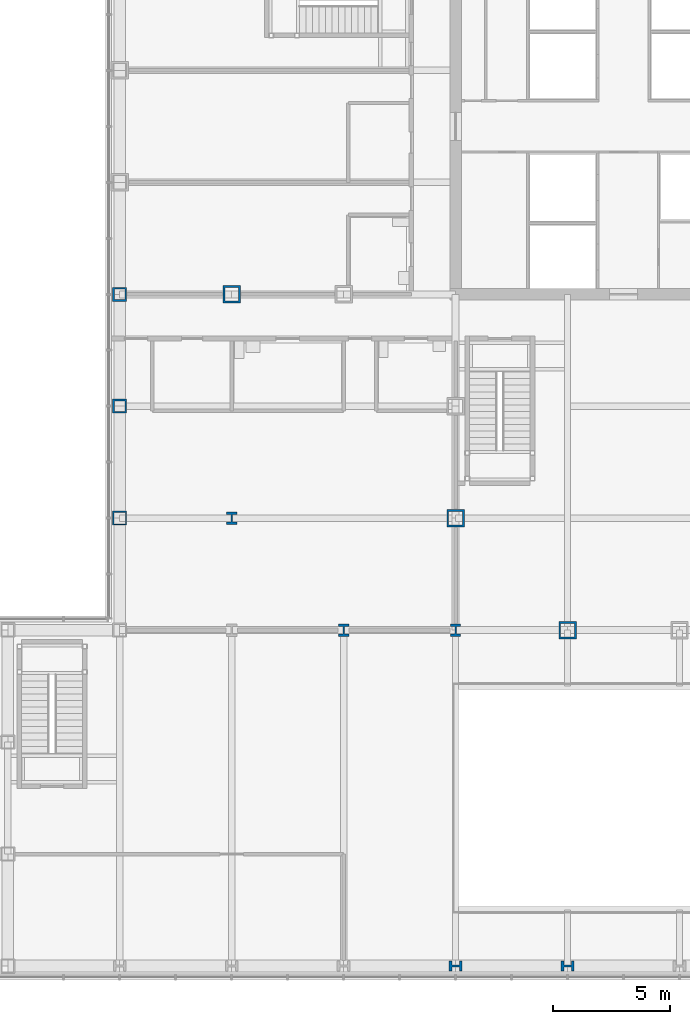
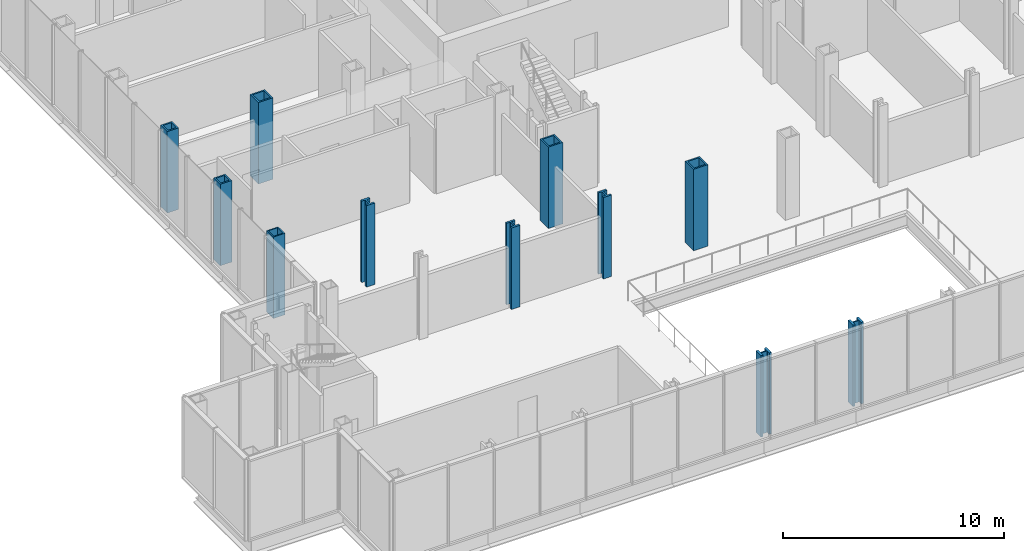
# One storey, part 2 of 26: 11 columns.
"""IFC4 building model written with IfcOpenShell, lengths in metres."""

from ifc_helpers import new_model, si_unit, direction, frame, origin, origin_2d, place, context, subcontext, project, spatial, hollow_rectangle, i_section, extrude, material, material_profile, profile_set, type_object, element, save


model = new_model("IFC4")

# Units and contexts
model_context = context("Model", 3, precision=1e-05, world=origin(), true_north=direction((0.0, 1.0)))
body_context = subcontext(model_context, "Body", "Model", "MODEL_VIEW")
ifc_project = project(units=[si_unit("LENGTHUNIT", "METRE"), si_unit("AREAUNIT", "SQUARE_METRE"), si_unit("VOLUMEUNIT", "CUBIC_METRE"), si_unit("PLANEANGLEUNIT", "RADIAN"), si_unit("MASSUNIT", "GRAM", prefix="KILO")], contexts=[model_context])

# Site, building, storey
site_placement = place(None, origin())
site = spatial("IfcSite", under=ifc_project, at=site_placement, CompositionType="ELEMENT")
building_placement = place(site_placement, origin())
building = spatial("IfcBuilding", under=site, at=building_placement, Name="Kvirike Care Tower", CompositionType="ELEMENT")
storey_placement = place(building_placement, frame((0.0, 0.0, 18.0)))
storey = spatial("IfcBuildingStorey", under=building, at=storey_placement, Name="L04", CompositionType="ELEMENT", Elevation=18.0)

# Columns
ifc_material_1 = material(Name="Steel S460", Category="steel")
ifc_material_profile_1 = material_profile(ifc_material_1, hollow_rectangle(XDim=0.60009765625, YDim=0.60009765625, WallThickness=0.06005859375, at=origin_2d()), Name="BX 600x600x60")
ifc_profile_set_1 = profile_set([ifc_material_profile_1], Name="Steel S460")
column_type_1 = type_object("IfcColumnType", Name="COLUMN BX 600x600x60", PredefinedType="COLUMN", material=ifc_profile_set_1)
column_placement = place(storey_placement, frame((0.0, 19.199951171875, 0.0), z_axis=(0.0, 0.0, 1.0), x_axis=(1.0, 0.0, 0.0)))
element("IfcColumn", 1, at=column_placement, inside=storey, type_object=column_type_1, Name="Column E3 L04", PredefinedType="COLUMN", context=body_context, shape_type="SweptSolid", body=[
    extrude(hollow_rectangle(XDim=0.60009765625, YDim=0.60009765625, WallThickness=0.06005859375, at=origin_2d()), origin(), (0.0, 0.0, 1.0), 4.5),
])
ifc_material_2 = material(Name="Steel S460", Category="steel")
ifc_material_profile_2 = material_profile(ifc_material_2, hollow_rectangle(XDim=0.60009765625, YDim=0.60009765625, WallThickness=0.080078125, at=origin_2d()), Name="BX 600x600x80")
ifc_profile_set_2 = profile_set([ifc_material_profile_2], Name="Steel S460")
column_type_2 = type_object("IfcColumnType", Name="COLUMN BX 600x600x80", PredefinedType="COLUMN", material=ifc_profile_set_2)
for number, where, z_axis, x_axis, name in (
    (2, (0.0, 24.0, 0.0), (0.0, 0.0, 1.0), (1.0, 0.0, 0.0), "Column F3 L04"),
    (3, (0.0, 28.800048828125, 0.0), (0.0, 0.0, 1.0), (0.0, 1.0, 0.0), "Column G3 L04"),
):
    element("IfcColumn", number, at=place(storey_placement, frame(where, z_axis=z_axis, x_axis=x_axis)), inside=storey, type_object=column_type_2, Name=name, PredefinedType="COLUMN", context=body_context, shape_type="SweptSolid", body=[
        extrude(hollow_rectangle(XDim=0.60009765625, YDim=0.60009765625, WallThickness=0.080078125, at=origin_2d()), origin(), (0.0, 0.0, 1.0), 4.5),
    ])
ifc_material_3 = material(Name="Steel S460", Category="steel")
ifc_material_profile_3 = material_profile(ifc_material_3, hollow_rectangle(XDim=0.75, YDim=0.75, WallThickness=0.080078125, at=origin_2d()), Name="BX 750x750x80")
ifc_profile_set_3 = profile_set([ifc_material_profile_3], Name="Steel S460")
column_type_3 = type_object("IfcColumnType", Name="COLUMN BX 750x750x80", PredefinedType="COLUMN", material=ifc_profile_set_3)
for number, where, z_axis, x_axis, name in (
    (4, (4.800048828125, 28.800048828125, 0.0), (0.0, 0.0, 1.0), (0.0, 1.0, 0.0), "Column G4 L04"),
    (5, (14.39990234375, 19.199951171875, 0.0), (0.0, 0.0, 1.0), (1.0, 0.0, 0.0), "Column E6 L04"),
    (6, (19.199951171875, 14.39990234375, 0.0), (0.0, 0.0, 1.0), (1.0, 0.0, 0.0), "Column D7 L04"),
):
    element("IfcColumn", number, at=place(storey_placement, frame(where, z_axis=z_axis, x_axis=x_axis)), inside=storey, type_object=column_type_3, Name=name, PredefinedType="COLUMN", context=body_context, shape_type="SweptSolid", body=[
        extrude(hollow_rectangle(XDim=0.75, YDim=0.75, WallThickness=0.080078125, at=origin_2d()), origin(), (0.0, 0.0, 1.0), 4.5),
    ])
ifc_material_4 = material(Name="Steel S460", Category="steel")
ifc_material_profile_4 = material_profile(ifc_material_4, i_section(OverallWidth=0.44189453125, OverallDepth=0.531005859375, WebThickness=0.06591796875, FlangeThickness=0.10595703125, FilletRadius=0.014892578125, at=origin_2d()), Name="HD 400x900")
ifc_profile_set_4 = profile_set([ifc_material_profile_4], Name="Steel S460")
column_type_4 = type_object("IfcColumnType", Name="COLUMN HD 400x900", PredefinedType="COLUMN", material=ifc_profile_set_4)
for number, where, z_axis, x_axis, name in (
    (7, (4.800048828125, 19.199951171875, 0.0), (0.0, 0.0, 1.0), (1.0, 0.0, 0.0), "Column E4 L04"),
    (8, (9.60009765625, 14.39990234375, 0.0), (0.0, 0.0, 1.0), (1.0, 0.0, 0.0), "Column D5 L04"),
    (9, (14.39990234375, 14.39990234375, 0.0), (0.0, 0.0, 1.0), (1.0, 0.0, 0.0), "Column D6 L04"),
):
    element("IfcColumn", number, at=place(storey_placement, frame(where, z_axis=z_axis, x_axis=x_axis)), inside=storey, type_object=column_type_4, Name=name, PredefinedType="COLUMN", context=body_context, shape_type="SweptSolid", body=[
        extrude(i_section(OverallWidth=0.44189453125, OverallDepth=0.531005859375, WebThickness=0.06591796875, FlangeThickness=0.10595703125, FilletRadius=0.014892578125, at=origin_2d()), origin(), (0.0, 0.0, 1.0), 4.5),
    ])
ifc_material_5 = material(Name="Steel S460", Category="steel")
ifc_material_profile_5 = material_profile(ifc_material_5, i_section(OverallWidth=0.447998046875, OverallDepth=0.550048828125, WebThickness=0.072021484375, FlangeThickness=0.114990234375, FilletRadius=0.014892578125, at=origin_2d()), Name="HD 400x990")
ifc_profile_set_5 = profile_set([ifc_material_profile_5], Name="Steel S460")
column_type_5 = type_object("IfcColumnType", Name="COLUMN HD 400x990", PredefinedType="COLUMN", material=ifc_profile_set_5)
for number, where, z_axis, x_axis, name in (
    (10, (14.39990234375, 0.0, 0.0), (0.0, 0.0, 1.0), (0.0, 1.0, 0.0), "Column A6 L04"),
    (11, (19.199951171875, 0.0, 0.0), (0.0, 0.0, 1.0), (0.0, 1.0, 0.0), "Column A7 L04"),
):
    element("IfcColumn", number, at=place(storey_placement, frame(where, z_axis=z_axis, x_axis=x_axis)), inside=storey, type_object=column_type_5, Name=name, PredefinedType="COLUMN", context=body_context, shape_type="SweptSolid", body=[
        extrude(i_section(OverallWidth=0.447998046875, OverallDepth=0.550048828125, WebThickness=0.072021484375, FlangeThickness=0.114990234375, FilletRadius=0.014892578125, at=origin_2d()), origin(), (0.0, 0.0, 1.0), 4.5),
    ])

save(model, "model.ifc")
